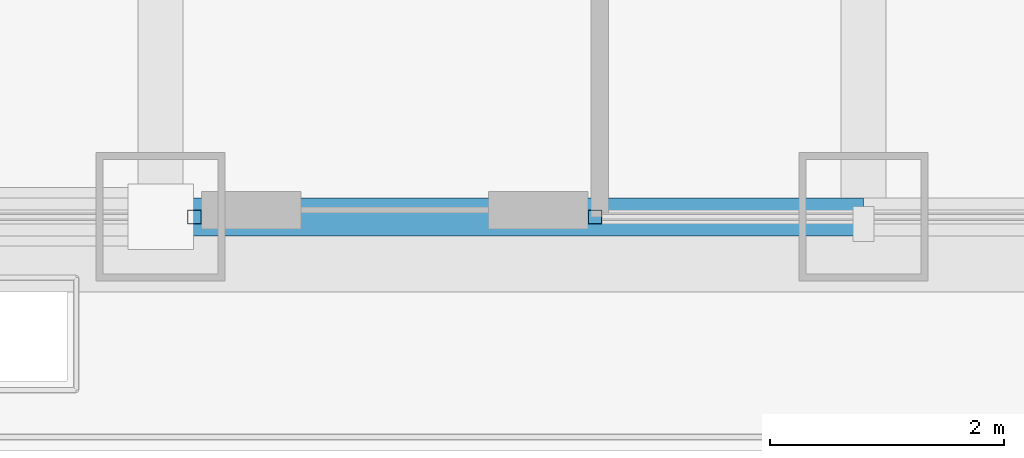
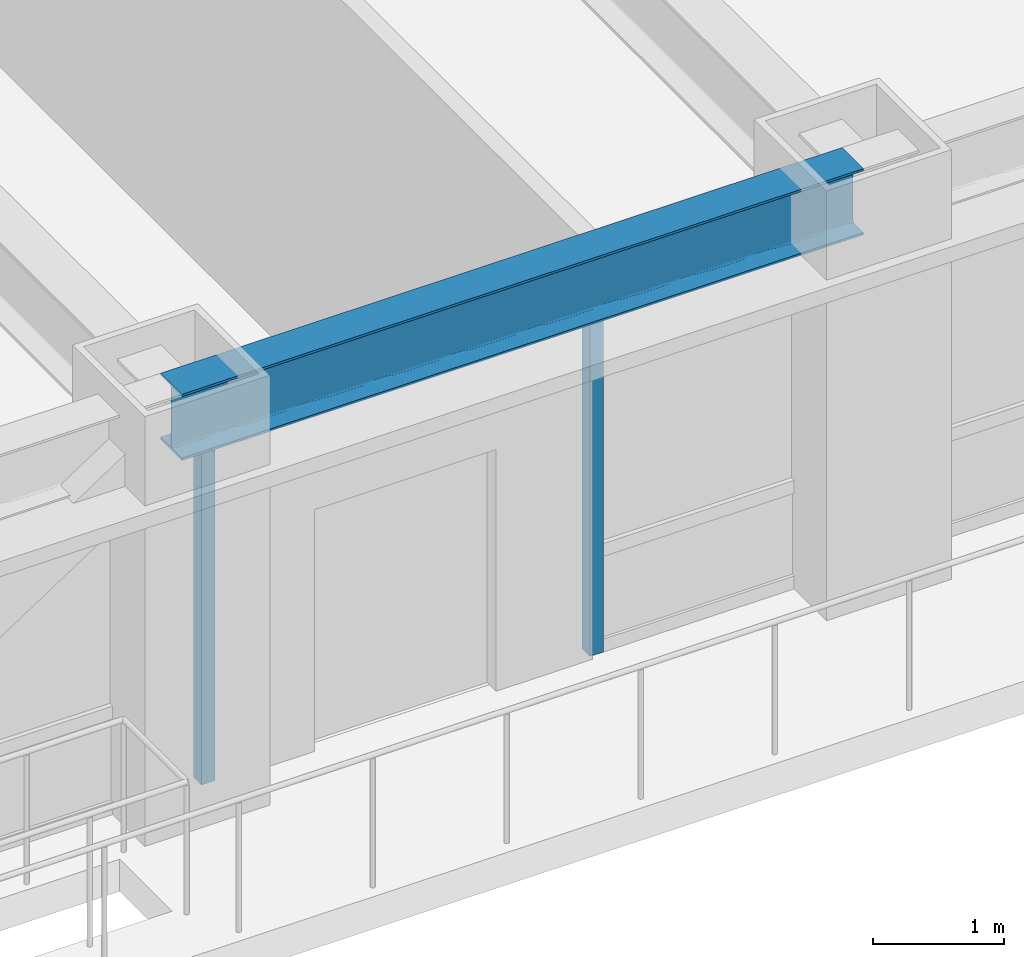
# One storey, part 5 of 35: 2 members, 1 beam, 2 elements without a shape of their own.
"""IFC4 building model written with IfcOpenShell, lengths in metres."""

from ifc_helpers import new_model, si_unit, direction, frame, origin, origin_2d, place, context, subcontext, project, spatial, hollow_rectangle, i_section, extrude, source, transform, mapped, material, material_profile, profile_set, type_object, element, aggregate, save


model = new_model("IFC4")

# Units and contexts
model_context = context("Model", 3, precision=1e-05, world=origin(), true_north=direction((0.0, 1.0)))
body_context = subcontext(model_context, "Body", "Model", "MODEL_VIEW")
ifc_project = project(units=[si_unit("LENGTHUNIT", "METRE"), si_unit("AREAUNIT", "SQUARE_METRE"), si_unit("VOLUMEUNIT", "CUBIC_METRE"), si_unit("PLANEANGLEUNIT", "RADIAN"), si_unit("MASSUNIT", "GRAM", prefix="KILO")], contexts=[model_context])

# Site, building, storey
site_placement = place(None, origin())
site = spatial("IfcSite", under=ifc_project, at=site_placement, CompositionType="ELEMENT")
building_placement = place(site_placement, origin())
building = spatial("IfcBuilding", under=site, at=building_placement, Name="Khorayat Bourse Tower", CompositionType="ELEMENT")
storey_placement = place(building_placement, frame((0.0, 0.0, 155.10009765625)))
storey = spatial("IfcBuildingStorey", under=building, at=storey_placement, Name="L35", CompositionType="ELEMENT", Elevation=155.10009765625)

# Beam
ifc_material_1 = material(Name="Steel ASTM A992 Grade 50", Category="steel")
ifc_material_profile_1 = material_profile(ifc_material_1, i_section(OverallWidth=0.324951171875, OverallDepth=0.615966796875, WebThickness=0.013916015625, FlangeThickness=0.021484375, FilletRadius=0.01611328125, at=origin_2d()), Name="W610X174")
ifc_profile_set_1 = profile_set([ifc_material_profile_1], Name="Steel ASTM A992 Grade 50")
beam_type = type_object("IfcBeamType", Name="BM-SPAN-610", PredefinedType="SPANDREL", material=ifc_profile_set_1)
shared_shape_1 = source(origin(), body_context, "Body", "SweptSolid", [
    extrude(i_section(OverallWidth=0.324951171875, OverallDepth=0.615966796875, WebThickness=0.013916015625, FlangeThickness=0.021484375, FilletRadius=0.01611328125, at=origin_2d()), origin(), (0.0, 0.0, 1.0), 6.0),
])
beam_placement = place(storey_placement, frame((-6.0, -30.0, 3.471923828125), z_axis=(1.0, 0.0, 0.0), x_axis=(0.0, 1.0, 0.0)))
element("IfcBeam", 1, at=beam_placement, inside=storey, type_object=beam_type, Name="L35 BM-SPAN-610 BM-L35-SPN-027", PredefinedType="SPANDREL", context=body_context, shape_type="MappedRepresentation", body=[
    mapped(shared_shape_1, transform((0.0, 0.0, 0.0), scale=1.0)),
])

# Curtain wall, member
ifc_material_2 = material(Name="Aluminium EN AW-6063 T6", Category="aluminium")
curtain_wall_type = type_object("IfcCurtainWallType", Name="CW-SYS-03", PredefinedType="NOTDEFINED", material=ifc_material_2)
curtain_wall_1_placement = place(storey_placement, origin())
curtain_wall_1 = element("IfcCurtainWall", 2, at=curtain_wall_1_placement, inside=storey, type_object=curtain_wall_type, Name="L35 Curtain Wall CW-L35-S1", PredefinedType="NOTDEFINED")
ifc_material_profile_2 = material_profile(ifc_material_2, hollow_rectangle(XDim=0.1201171875, YDim=0.1201171875, WallThickness=0.0048828125, at=origin_2d()), Name="ALU 120x120x5")
ifc_profile_set_2 = profile_set([ifc_material_profile_2], Name="Aluminium EN AW-6063 T6")
member_type = type_object("IfcMemberType", Name="CWM-VERT-120", PredefinedType="MULLION", material=ifc_profile_set_2)
shared_shape_2 = source(origin(), body_context, "Body", "SweptSolid", [
    extrude(hollow_rectangle(XDim=0.1201171875, YDim=0.1201171875, WallThickness=0.0048828125, at=origin_2d()), origin(), (0.0, 0.0, 1.0), 3.1298828125),
])
member_1_placement = place(storey_placement, frame((-5.7099609375, -30.0, 0.0), z_axis=(0.0, 0.0, 1.0), x_axis=(0.0, 1.0, 0.0)))
member_1 = element("IfcMember", 3, at=member_1_placement, type_object=member_type, Name="CW-L35-S1 Vertical Mullion 3", PredefinedType="MULLION", context=body_context, shape_type="MappedRepresentation", body=[
    mapped(shared_shape_2, transform((0.0, 0.0, 0.0), scale=1.0)),
])
aggregate(curtain_wall_1, [member_1])

curtain_wall_2_placement = place(storey_placement, origin())
curtain_wall_2 = element("IfcCurtainWall", 4, at=curtain_wall_2_placement, inside=storey, type_object=curtain_wall_type, Name="L35 Curtain Wall CW-L35-S2", PredefinedType="NOTDEFINED")
member_2_placement = place(storey_placement, frame((-2.2900390625, -30.0, 0.0), z_axis=(0.0, 0.0, 1.0), x_axis=(0.0, 1.0, 0.0)))
member_2 = element("IfcMember", 5, at=member_2_placement, type_object=member_type, Name="CW-L35-S2 Vertical Mullion 1", PredefinedType="MULLION", context=body_context, shape_type="MappedRepresentation", body=[
    mapped(shared_shape_2, transform((0.0, 0.0, 0.0), scale=1.0)),
])
aggregate(curtain_wall_2, [member_2])

save(model, "model.ifc")
